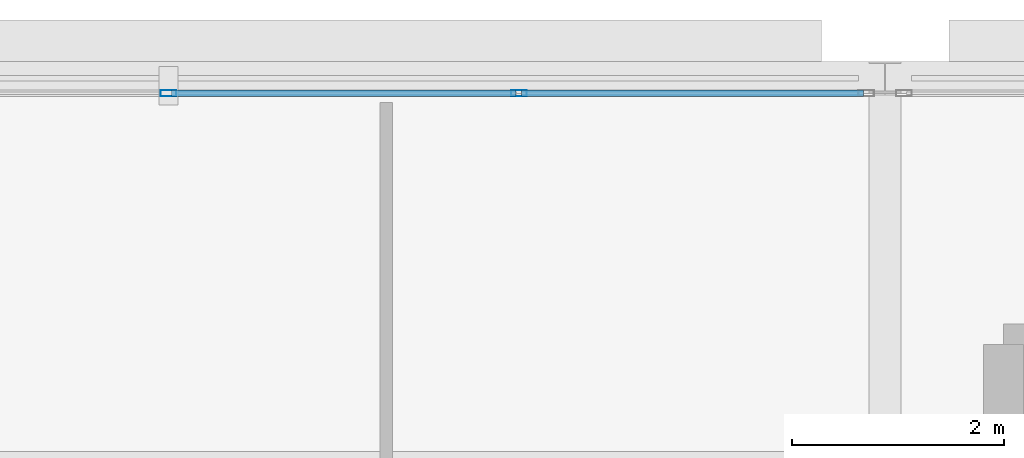
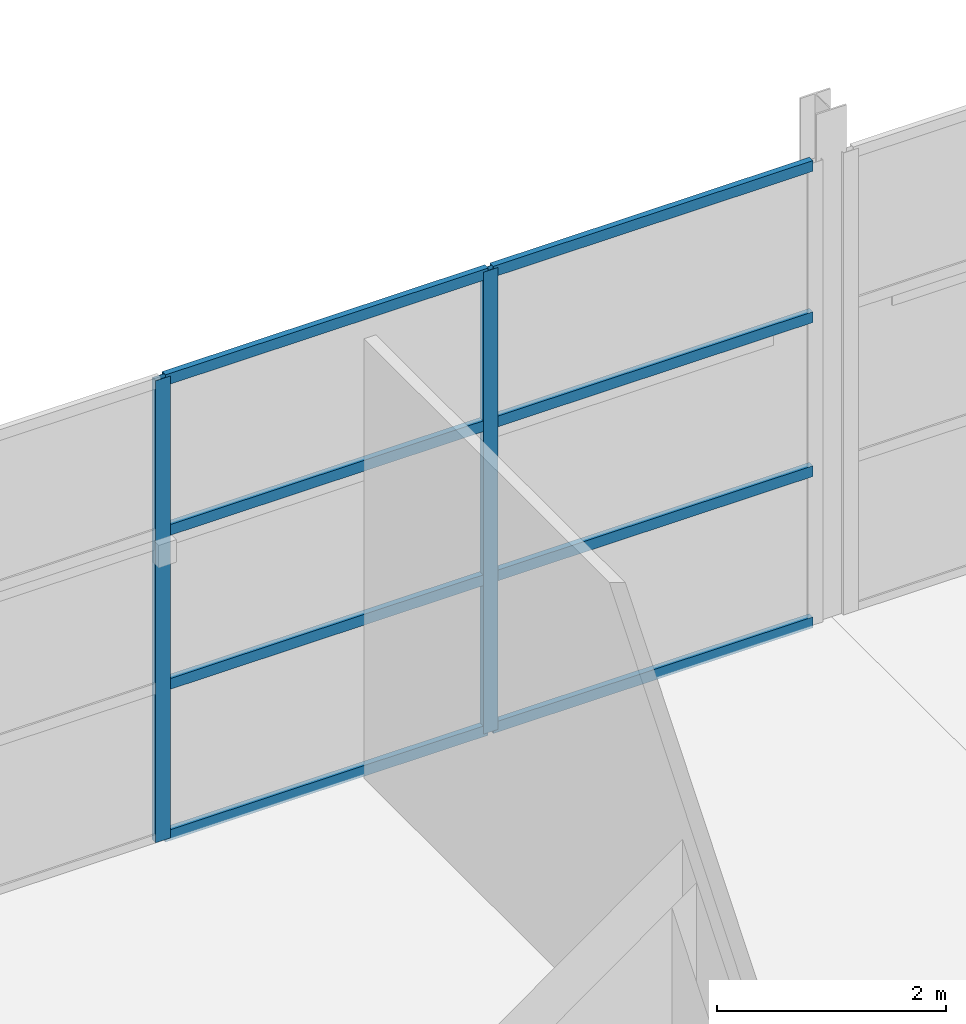
# One storey, part 24 of 34: 10 members, 1 element without a shape of its own.
"""IFC4 building model written with IfcOpenShell, lengths in metres."""

from ifc_helpers import new_model, si_unit, direction, frame, origin, origin_2d, place, context, subcontext, project, spatial, hollow_rectangle, extrude, material, layer, layer_set, material_profile, profile_set, type_object, element, aggregate, save


model = new_model("IFC4")

# Units and contexts
model_context = context("Model", 3, precision=1e-05, world=origin(), true_north=direction((0.0, 1.0)))
body_context = subcontext(model_context, "Body", "Model", "MODEL_VIEW")
ifc_project = project(units=[si_unit("LENGTHUNIT", "METRE"), si_unit("AREAUNIT", "SQUARE_METRE"), si_unit("VOLUMEUNIT", "CUBIC_METRE"), si_unit("PLANEANGLEUNIT", "RADIAN"), si_unit("MASSUNIT", "GRAM", prefix="KILO")], contexts=[model_context])

# Site, building, storey
site_placement = place(None, origin())
site = spatial("IfcSite", under=ifc_project, at=site_placement, CompositionType="ELEMENT")
building_placement = place(site_placement, origin())
building = spatial("IfcBuilding", under=site, at=building_placement, Name="Tamarisk Ironworks Central Station", CompositionType="ELEMENT")
storey_placement = place(building_placement, frame((0.0, 0.0, 25.199951171875)))
storey = spatial("IfcBuildingStorey", under=building, at=storey_placement, Name="L05", CompositionType="ELEMENT", Elevation=25.199951171875)

# Curtain wall, members
ifc_material = material(Name="Anodized aluminium alloy 6063-T6", Category="aluminium")
ifc_layer = layer(ifc_material, 0.179931640625)
ifc_layer_set = layer_set([ifc_layer], Name="Anodized aluminium alloy 6063-T6")
curtain_wall_type = type_object("IfcCurtainWallType", Name="CW-20", PredefinedType="USERDEFINED", material=ifc_layer_set)
curtain_wall_placement = place(storey_placement, origin())
curtain_wall = element("IfcCurtainWall", 1, at=curtain_wall_placement, inside=storey, type_object=curtain_wall_type, Name="Operations L05 north facade curtain wall 153", ObjectType="GLAZED CURTAIN WALL", PredefinedType="USERDEFINED")
ifc_material_profile_1 = material_profile(ifc_material, hollow_rectangle(XDim=0.06005859375, YDim=0.14990234375, WallThickness=0.00341796875, at=origin_2d()), Name="ALUM 150x60")
ifc_profile_set_1 = profile_set([ifc_material_profile_1], Name="Anodized aluminium alloy 6063-T6")
member_type_1 = type_object("IfcMemberType", Name="CWM-03", PredefinedType="MULLION", material=ifc_profile_set_1)
member_1_placement = place(storey_placement, frame((159.75, 122.25, 0.0), z_axis=(0.0, 0.0, 1.0), x_axis=(0.0, 1.0, 0.0)))
member_1 = element("IfcMember", 2, at=member_1_placement, type_object=member_type_1, Name="CW20 mullion 3", PredefinedType="MULLION", context=body_context, shape_type="SweptSolid", body=[
    extrude(hollow_rectangle(XDim=0.06005859375, YDim=0.14990234375, WallThickness=0.00341796875, at=origin_2d()), origin(), (0.0, 0.0, 1.0), 4.920166015625),
])
member_2_placement = place(storey_placement, frame((163.051025390625, 122.25, 0.0), z_axis=(0.0, 0.0, 1.0), x_axis=(0.0, 1.0, 0.0)))
member_2 = element("IfcMember", 3, at=member_2_placement, type_object=member_type_1, Name="CW20 mullion 4", PredefinedType="MULLION", context=body_context, shape_type="SweptSolid", body=[
    extrude(hollow_rectangle(XDim=0.06005859375, YDim=0.14990234375, WallThickness=0.00341796875, at=origin_2d()), origin(), (0.0, 0.0, 1.0), 4.920166015625),
])
ifc_material_profile_2 = material_profile(ifc_material, hollow_rectangle(XDim=0.06005859375, YDim=0.114990234375, WallThickness=0.00341796875, at=origin_2d()), Name="ALUM 115x60")
ifc_profile_set_2 = profile_set([ifc_material_profile_2], Name="Anodized aluminium alloy 6063-T6")
member_type_2 = type_object("IfcMemberType", Name="CWT-03", PredefinedType="USERDEFINED", material=ifc_profile_set_2)
member_3_placement = place(storey_placement, frame((159.77587890625, 122.25, 0.030029296875), z_axis=(1.0, 0.0, 0.0), x_axis=(0.0, 1.0, 0.0)))
member_3 = element("IfcMember", 4, at=member_3_placement, type_object=member_type_2, Name="CW20 transom 3.1", ObjectType="TRANSOM", PredefinedType="USERDEFINED", context=body_context, shape_type="SweptSolid", body=[
    extrude(hollow_rectangle(XDim=0.06005859375, YDim=0.114990234375, WallThickness=0.00341796875, at=origin_2d()), origin(), (0.0, 0.0, 1.0), 3.2490234375),
])
member_4_placement = place(storey_placement, frame((159.77587890625, 122.25, 1.64013671875), z_axis=(1.0, 0.0, 0.0), x_axis=(0.0, 1.0, 0.0)))
member_4 = element("IfcMember", 5, at=member_4_placement, type_object=member_type_2, Name="CW20 transom 3.2", ObjectType="TRANSOM", PredefinedType="USERDEFINED", context=body_context, shape_type="SweptSolid", body=[
    extrude(hollow_rectangle(XDim=0.06005859375, YDim=0.114990234375, WallThickness=0.00341796875, at=origin_2d()), origin(), (0.0, 0.0, 1.0), 3.2490234375),
])
member_5_placement = place(storey_placement, frame((159.77587890625, 122.25, 3.280029296875), z_axis=(1.0, 0.0, 0.0), x_axis=(0.0, 1.0, 0.0)))
member_5 = element("IfcMember", 6, at=member_5_placement, type_object=member_type_2, Name="CW20 transom 3.3", ObjectType="TRANSOM", PredefinedType="USERDEFINED", context=body_context, shape_type="SweptSolid", body=[
    extrude(hollow_rectangle(XDim=0.06005859375, YDim=0.114990234375, WallThickness=0.00341796875, at=origin_2d()), origin(), (0.0, 0.0, 1.0), 3.2490234375),
])
member_6_placement = place(storey_placement, frame((159.77587890625, 122.25, 4.89013671875), z_axis=(1.0, 0.0, 0.0), x_axis=(0.0, 1.0, 0.0)))
member_6 = element("IfcMember", 7, at=member_6_placement, type_object=member_type_2, Name="CW20 transom 3.4", ObjectType="TRANSOM", PredefinedType="USERDEFINED", context=body_context, shape_type="SweptSolid", body=[
    extrude(hollow_rectangle(XDim=0.06005859375, YDim=0.114990234375, WallThickness=0.00341796875, at=origin_2d()), origin(), (0.0, 0.0, 1.0), 3.2490234375),
])
member_7_placement = place(storey_placement, frame((163.076904296875, 122.25, 0.030029296875), z_axis=(1.0, 0.0, 0.0), x_axis=(0.0, 1.0, 0.0)))
member_7 = element("IfcMember", 8, at=member_7_placement, type_object=member_type_2, Name="CW20 transom 4.1", ObjectType="TRANSOM", PredefinedType="USERDEFINED", context=body_context, shape_type="SweptSolid", body=[
    extrude(hollow_rectangle(XDim=0.06005859375, YDim=0.114990234375, WallThickness=0.00341796875, at=origin_2d()), origin(), (0.0, 0.0, 1.0), 3.218994140625),
])
member_8_placement = place(storey_placement, frame((163.076904296875, 122.25, 1.64013671875), z_axis=(1.0, 0.0, 0.0), x_axis=(0.0, 1.0, 0.0)))
member_8 = element("IfcMember", 9, at=member_8_placement, type_object=member_type_2, Name="CW20 transom 4.2", ObjectType="TRANSOM", PredefinedType="USERDEFINED", context=body_context, shape_type="SweptSolid", body=[
    extrude(hollow_rectangle(XDim=0.06005859375, YDim=0.114990234375, WallThickness=0.00341796875, at=origin_2d()), origin(), (0.0, 0.0, 1.0), 3.218994140625),
])
member_9_placement = place(storey_placement, frame((163.076904296875, 122.25, 3.280029296875), z_axis=(1.0, 0.0, 0.0), x_axis=(0.0, 1.0, 0.0)))
member_9 = element("IfcMember", 10, at=member_9_placement, type_object=member_type_2, Name="CW20 transom 4.3", ObjectType="TRANSOM", PredefinedType="USERDEFINED", context=body_context, shape_type="SweptSolid", body=[
    extrude(hollow_rectangle(XDim=0.06005859375, YDim=0.114990234375, WallThickness=0.00341796875, at=origin_2d()), origin(), (0.0, 0.0, 1.0), 3.218994140625),
])
member_10_placement = place(storey_placement, frame((163.076904296875, 122.25, 4.89013671875), z_axis=(1.0, 0.0, 0.0), x_axis=(0.0, 1.0, 0.0)))
member_10 = element("IfcMember", 11, at=member_10_placement, type_object=member_type_2, Name="CW20 transom 4.4", ObjectType="TRANSOM", PredefinedType="USERDEFINED", context=body_context, shape_type="SweptSolid", body=[
    extrude(hollow_rectangle(XDim=0.06005859375, YDim=0.114990234375, WallThickness=0.00341796875, at=origin_2d()), origin(), (0.0, 0.0, 1.0), 3.218994140625),
])
aggregate(curtain_wall, [member_1, member_2, member_3, member_4, member_5, member_6, member_7, member_8, member_9, member_10])

save(model, "model.ifc")
